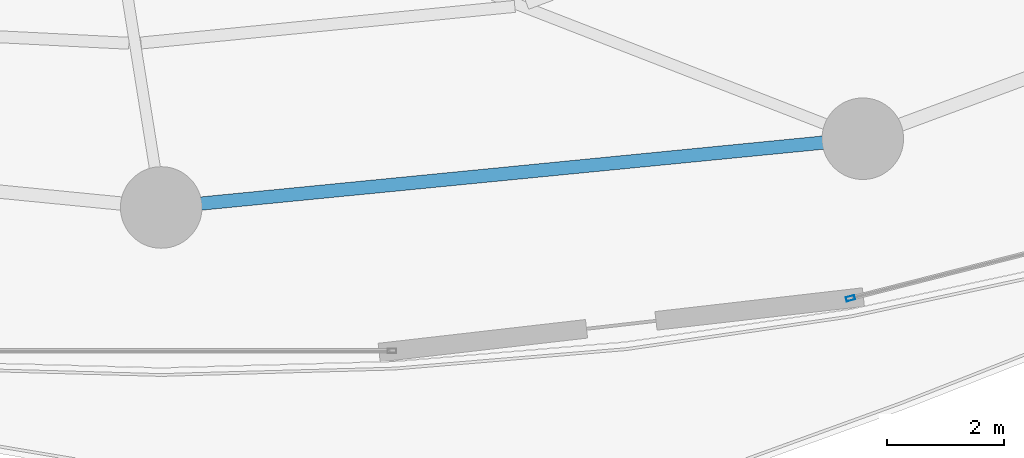
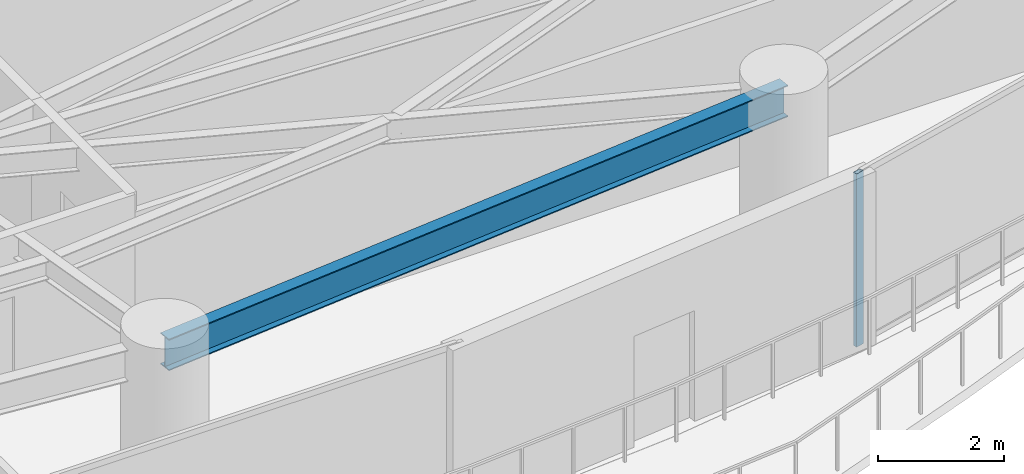
# One storey, part 11 of 33: 1 beam, 1 member, 1 element without a shape of its own.
"""IFC4 building model written with IfcOpenShell, lengths in metres."""

from ifc_helpers import new_model, si_unit, direction, frame, origin, origin_2d, place, context, subcontext, project, spatial, hollow_rectangle, i_section, extrude, material, layer, layer_set, material_profile, profile_set, type_object, element, aggregate, save


model = new_model("IFC4")

# Units and contexts
model_context = context("Model", 3, precision=1e-05, world=origin(), true_north=direction((0.0, 1.0)))
body_context = subcontext(model_context, "Body", "Model", "MODEL_VIEW")
ifc_project = project(units=[si_unit("LENGTHUNIT", "METRE"), si_unit("AREAUNIT", "SQUARE_METRE"), si_unit("VOLUMEUNIT", "CUBIC_METRE"), si_unit("PLANEANGLEUNIT", "RADIAN"), si_unit("MASSUNIT", "GRAM", prefix="KILO")], contexts=[model_context])

# Site, building, storey
site_placement = place(None, origin())
site = spatial("IfcSite", under=ifc_project, at=site_placement, CompositionType="ELEMENT")
building_placement = place(site_placement, origin())
building = spatial("IfcBuilding", under=site, at=building_placement, Name="Kazevale Care Tower and Concert Hall", CompositionType="ELEMENT")
storey_placement = place(building_placement, frame((0.0, 0.0, 31.199951171875)))
storey = spatial("IfcBuildingStorey", under=building, at=storey_placement, Name="L07", CompositionType="ELEMENT", Elevation=31.199951171875)

# Curtain wall, member
ifc_material_1 = material(Name="Aluminium 6063-T6 and Low-E Glass", Category="aluminium")
ifc_layer = layer(ifc_material_1, 0.179931640625)
ifc_layer_set = layer_set([ifc_layer], Name="Aluminium 6063-T6 and Low-E Glass")
curtain_wall_type = type_object("IfcCurtainWallType", Name="Sheltered Concave Balcony Curtain Wall CW-5", PredefinedType="NOTDEFINED", material=ifc_layer_set)
curtain_wall_placement = place(storey_placement, origin())
curtain_wall = element("IfcCurtainWall", 1, at=curtain_wall_placement, inside=storey, type_object=curtain_wall_type, Name="cw:L07:f04", PredefinedType="NOTDEFINED")
ifc_material_2 = material(Name="Aluminium 6063-T6", Category="aluminium")
ifc_material_profile_1 = material_profile(ifc_material_2, hollow_rectangle(XDim=0.074951171875, YDim=0.14990234375, WallThickness=0.00390625, at=origin_2d()), Name="ALU75x150x4")
ifc_profile_set_1 = profile_set([ifc_material_profile_1], Name="Aluminium 6063-T6")
member_type = type_object("IfcMemberType", Name="CW-5 Mullion ALU75x150x4", PredefinedType="MULLION", material=ifc_profile_set_1)
member_placement = place(storey_placement, frame((56.828369140625, 15.791259765625, 0.0), z_axis=(0.0, 0.0, 1.0), x_axis=(0.247221864936, -0.968958899798, 0.0)))
member = element("IfcMember", 2, at=member_placement, type_object=member_type, Name="CW-5 mullion 2", PredefinedType="MULLION", context=body_context, shape_type="SweptSolid", body=[
    extrude(hollow_rectangle(XDim=0.074951171875, YDim=0.14990234375, WallThickness=0.00390625, at=origin_2d()), origin(), (0.0, 0.0, 1.0), 3.360107421875),
])
aggregate(curtain_wall, [member])

# Beam
ifc_material_3 = material(Name="Steel ASTM A572 Gr 50", Category="steel")
ifc_material_profile_2 = material_profile(ifc_material_3, i_section(OverallWidth=0.22900390625, OverallDepth=0.612060546875, WebThickness=0.011962890625, FlangeThickness=0.01953125, at=origin_2d()), Name="W610x125")
ifc_profile_set_2 = profile_set([ifc_material_profile_2], Name="Steel ASTM A572 Gr 50")
beam_type = type_object("IfcBeamType", Name="Ring Spandrel Beam W610x125", PredefinedType="SPANDREL", material=ifc_profile_set_2)
beam_placement = place(storey_placement, frame((45.0, 17.35009765625, 3.053955078125), z_axis=(0.995232251602, 0.09753340644, 0.0), x_axis=(-0.09753340644, 0.995232251602, 0.0)))
element("IfcBeam", 3, at=beam_placement, inside=storey, type_object=beam_type, Name="beam:L07:ring:13", PredefinedType="SPANDREL", context=body_context, shape_type="SweptSolid", body=[
    extrude(i_section(OverallWidth=0.22900390625, OverallDepth=0.612060546875, WebThickness=0.011962890625, FlangeThickness=0.01953125, at=origin_2d()), origin(), (0.0, 0.0, 1.0), 12.09765625),
])

save(model, "model.ifc")
